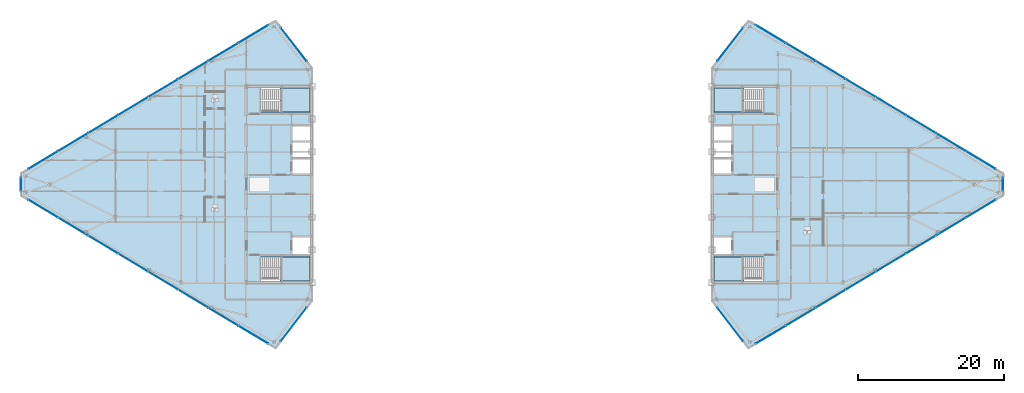
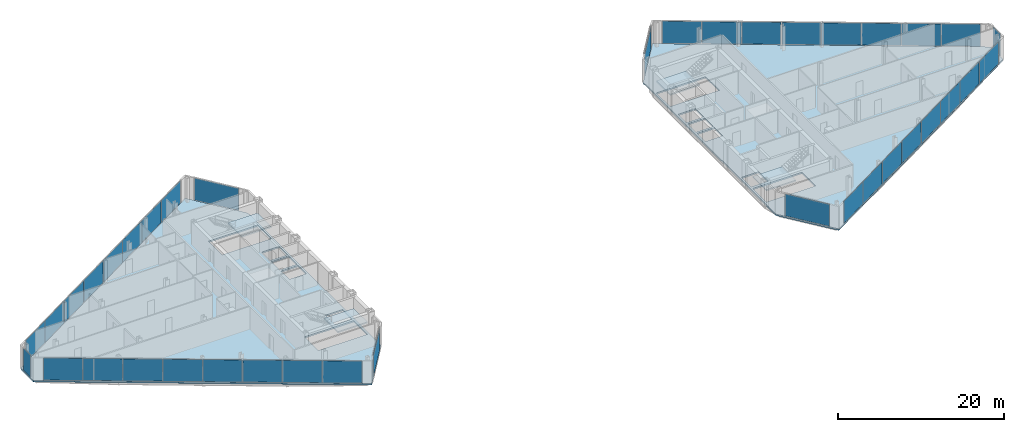
# One storey, part 18 of 25: 38 plates, 6 slabs, 14 elements without a shape of their own.
"""IFC4 building model written with IfcOpenShell, lengths in metres."""

from ifc_helpers import new_model, si_unit, direction, frame, origin, origin_2d, place, context, subcontext, project, spatial, polyline, rectangle, outline, extrude, source, transform, mapped, material, layer, layer_set, type_object, type_shapes, element, aggregate, save


model = new_model("IFC4")

# Units and contexts
model_context = context("Model", 3, precision=1e-05, world=origin(), true_north=direction((0.0, 1.0)))
body_context = subcontext(model_context, "Body", "Model", "MODEL_VIEW")
ifc_project = project(units=[si_unit("LENGTHUNIT", "METRE"), si_unit("AREAUNIT", "SQUARE_METRE"), si_unit("VOLUMEUNIT", "CUBIC_METRE"), si_unit("PLANEANGLEUNIT", "RADIAN"), si_unit("MASSUNIT", "GRAM", prefix="KILO")], contexts=[model_context])

# Site, building, storey
site_placement = place(None, origin())
site = spatial("IfcSite", under=ifc_project, at=site_placement, CompositionType="ELEMENT")
building_placement = place(site_placement, origin())
building = spatial("IfcBuilding", under=site, at=building_placement, Name="Seokmaru Belvedere", CompositionType="ELEMENT")
storey_placement = place(building_placement, frame((0.0, 0.0, 217.5)))
storey = spatial("IfcBuildingStorey", under=building, at=storey_placement, Name="L58", CompositionType="ELEMENT", Elevation=217.5)

# Stair, slab
ifc_material_1 = material(Name="Concrete C40 (40 MPa)", Category="concrete")
stair_type = type_object("IfcStairType", Name="Typical Tower Core Dog-Leg Stair 3600", PredefinedType="TWO_STRAIGHT_RUN_STAIR", material=ifc_material_1)
stair_1_placement = place(storey_placement, origin())
stair_1 = element("IfcStair", 1, at=stair_1_placement, inside=storey, type_object=stair_type, Name="L58 Special Escape Stair ST-W1", PredefinedType="TWO_STRAIGHT_RUN_STAIR")
ifc_layer_1 = layer(ifc_material_1, 0.199951171875)
ifc_layer_set_1 = layer_set([ifc_layer_1], Name="Concrete C40 (40 MPa)")
slab_type_1 = type_object("IfcSlabType", Name="Reinforced Concrete Stair Landing Slab 200", PredefinedType="LANDING", material=ifc_layer_set_1)
slab_1_placement = place(storey_placement, frame((0.0, 0.0, 1.60009765625)))
slab_1 = element("IfcSlab", 2, at=slab_1_placement, type_object=slab_type_1, Name="ST-W1 landing 1", PredefinedType="LANDING", context=body_context, shape_type="SweptSolid", body=[
    extrude(outline(polyline([(-31.8798828125, -13.239990234375), (-27.760009765625, -13.239990234375), (-27.760009765625, -9.949951171875), (-31.8798828125, -9.949951171875), (-31.8798828125, -13.239990234375)])), origin(), (0.0, 0.0, 1.0), 0.199951171875),
])
aggregate(stair_1, [slab_1])

stair_2_placement = place(storey_placement, origin())
stair_2 = element("IfcStair", 3, at=stair_2_placement, inside=storey, type_object=stair_type, Name="L58 Special Escape Stair ST-W2", PredefinedType="TWO_STRAIGHT_RUN_STAIR")
slab_2_placement = place(storey_placement, frame((0.0, 0.0, 1.60009765625)))
slab_2 = element("IfcSlab", 4, at=slab_2_placement, type_object=slab_type_1, Name="ST-W2 landing 1", PredefinedType="LANDING", context=body_context, shape_type="SweptSolid", body=[
    extrude(outline(polyline([(-31.8798828125, 9.949951171875), (-27.760009765625, 9.949951171875), (-27.760009765625, 13.239990234375), (-31.8798828125, 13.239990234375), (-31.8798828125, 9.949951171875)])), origin(), (0.0, 0.0, 1.0), 0.199951171875),
])
aggregate(stair_2, [slab_2])

stair_3_placement = place(storey_placement, origin())
stair_3 = element("IfcStair", 5, at=stair_3_placement, inside=storey, type_object=stair_type, Name="L58 Special Escape Stair ST-E1", PredefinedType="TWO_STRAIGHT_RUN_STAIR")
slab_3_placement = place(storey_placement, frame((0.0, 0.0, 1.60009765625)))
slab_3 = element("IfcSlab", 6, at=slab_3_placement, type_object=slab_type_1, Name="ST-E1 landing 1", PredefinedType="LANDING", context=body_context, shape_type="SweptSolid", body=[
    extrude(outline(polyline([(27.760009765625, -13.239990234375), (31.8798828125, -13.239990234375), (31.8798828125, -9.949951171875), (27.760009765625, -9.949951171875), (27.760009765625, -13.239990234375)])), origin(), (0.0, 0.0, 1.0), 0.199951171875),
])
aggregate(stair_3, [slab_3])

stair_4_placement = place(storey_placement, origin())
stair_4 = element("IfcStair", 7, at=stair_4_placement, inside=storey, type_object=stair_type, Name="L58 Special Escape Stair ST-E2", PredefinedType="TWO_STRAIGHT_RUN_STAIR")
slab_4_placement = place(storey_placement, frame((0.0, 0.0, 1.60009765625)))
slab_4 = element("IfcSlab", 8, at=slab_4_placement, type_object=slab_type_1, Name="ST-E2 landing 1", PredefinedType="LANDING", context=body_context, shape_type="SweptSolid", body=[
    extrude(outline(polyline([(27.760009765625, 9.949951171875), (31.8798828125, 9.949951171875), (31.8798828125, 13.239990234375), (27.760009765625, 13.239990234375), (27.760009765625, 9.949951171875)])), origin(), (0.0, 0.0, 1.0), 0.199951171875),
])
aggregate(stair_4, [slab_4])

# Slabs
ifc_layer_2 = layer(ifc_material_1, 0.219970703125)
ifc_layer_set_2 = layer_set([ifc_layer_2], Name="Concrete C40 (40 MPa)")
slab_type_2 = type_object("IfcSlabType", Name="Typical Tower Composite Floor Slab 220", PredefinedType="FLOOR", material=ifc_layer_set_2)
slab_5_placement = place(storey_placement, frame((0.0, 0.0, -0.219970703125)))
element("IfcSlab", 9, at=slab_5_placement, inside=storey, type_object=slab_type_2, Name="L58 West Leg Floor Slab", PredefinedType="FLOOR", context=body_context, shape_type="SweptSolid", body=[
    extrude(outline(polyline([(-27.5, -16.0), (-27.5, 16.0), (-32.5, 22.5), (-67.5, 1.5), (-67.5, -1.5), (-32.5, -22.5), (-27.5, -16.0)]), holes=[polyline([(-34.60009765625, -13.25), (-27.75, -13.25), (-27.75, -9.949951171875), (-34.60009765625, -9.949951171875), (-34.60009765625, -13.25)]), polyline([(-34.60009765625, 9.949951171875), (-27.75, 9.949951171875), (-27.75, 13.25), (-34.60009765625, 13.25), (-34.60009765625, 9.949951171875)]), polyline([(-30.14990234375, -9.550048828125), (-27.75, -9.550048828125), (-27.75, -7.25), (-30.14990234375, -7.25), (-30.14990234375, -9.550048828125)]), polyline([(-30.14990234375, 1.449951171875), (-27.75, 1.449951171875), (-27.75, 3.449951171875), (-30.14990234375, 3.449951171875), (-30.14990234375, 1.449951171875)]), polyline([(-30.14990234375, 3.75), (-27.75, 3.75), (-27.75, 5.75), (-30.14990234375, 5.75), (-30.14990234375, 3.75)]), polyline([(-30.14990234375, 6.050048828125), (-27.75, 6.050048828125), (-27.75, 8.050048828125), (-30.14990234375, 8.050048828125), (-30.14990234375, 6.050048828125)])]), origin(), (0.0, 0.0, 1.0), 0.219970703125),
])
slab_6_placement = place(storey_placement, frame((0.0, 0.0, -0.219970703125)))
element("IfcSlab", 10, at=slab_6_placement, inside=storey, type_object=slab_type_2, Name="L58 East Leg Floor Slab", PredefinedType="FLOOR", context=body_context, shape_type="SweptSolid", body=[
    extrude(outline(polyline([(32.5, -22.5), (67.5, -1.5), (67.5, 1.5), (32.5, 22.5), (27.5, 16.0), (27.5, -16.0), (32.5, -22.5)]), holes=[polyline([(27.75, -13.25), (34.60009765625, -13.25), (34.60009765625, -9.949951171875), (27.75, -9.949951171875), (27.75, -13.25)]), polyline([(27.75, 9.949951171875), (34.60009765625, 9.949951171875), (34.60009765625, 13.25), (27.75, 13.25), (27.75, 9.949951171875)]), polyline([(27.75, -9.550048828125), (30.14990234375, -9.550048828125), (30.14990234375, -7.25), (27.75, -7.25), (27.75, -9.550048828125)]), polyline([(27.75, 1.449951171875), (30.14990234375, 1.449951171875), (30.14990234375, 3.449951171875), (27.75, 3.449951171875), (27.75, 1.449951171875)]), polyline([(27.75, 3.75), (30.14990234375, 3.75), (30.14990234375, 5.75), (27.75, 5.75), (27.75, 3.75)]), polyline([(27.75, 6.050048828125), (30.14990234375, 6.050048828125), (30.14990234375, 8.050048828125), (27.75, 8.050048828125), (27.75, 6.050048828125)])]), origin(), (0.0, 0.0, 1.0), 0.219970703125),
])

# Curtain wall, plate
ifc_material_2 = material(Name="Bronze Triple Insulating Glass", Category="glass")
ifc_layer_3 = layer(ifc_material_2, 0.179931640625)
ifc_layer_set_3 = layer_set([ifc_layer_3], Name="Bronze Triple Insulating Glass")
curtain_wall_type = type_object("IfcCurtainWallType", Name="High-Rise Wind-Corner Curtain Wall System CW-5", PredefinedType="NOTDEFINED", material=ifc_layer_set_3)
curtain_wall_1_placement = place(storey_placement, origin())
curtain_wall_1 = element("IfcCurtainWall", 11, at=curtain_wall_1_placement, inside=storey, type_object=curtain_wall_type, Name="L58 Curtain Wall WF2", PredefinedType="NOTDEFINED")
ifc_layer_4 = layer(ifc_material_2, 0.035888671875)
ifc_layer_set_4 = layer_set([ifc_layer_4], Name="Bronze Triple Insulating Glass")
plate_type = type_object("IfcPlateType", Name="Bronze Triple Vision Glazing Panel 36", PredefinedType="CURTAIN_PANEL", material=ifc_layer_set_4)
shared_shape_1 = source(origin(), body_context, "Body", "SweptSolid", [
    extrude(rectangle(XDim=5.7705078125, YDim=0.035888671875, at=origin_2d()), origin(), (0.0, 0.0, 1.0), 3.25),
])
plate_1_placement = place(storey_placement, frame((-30.0, 19.25, 0.06494140625), z_axis=(0.0, 0.0, 1.0), x_axis=(-0.609701187349, 0.792631353244, 0.0)))
plate_1 = element("IfcPlate", 12, at=plate_1_placement, type_object=plate_type, Name="CW:L58:WF2 Glazing Panel 1-1", PredefinedType="CURTAIN_PANEL", context=body_context, shape_type="MappedRepresentation", body=[
    mapped(shared_shape_1, transform((0.0, 0.0, 0.0), scale=1.0)),
])
aggregate(curtain_wall_1, [plate_1])

curtain_wall_2_placement = place(storey_placement, origin())
curtain_wall_2 = element("IfcCurtainWall", 13, at=curtain_wall_2_placement, inside=storey, type_object=curtain_wall_type, Name="L58 Curtain Wall WF6", PredefinedType="NOTDEFINED")
plate_2_placement = place(storey_placement, frame((-30.0, -19.25, 0.06494140625), z_axis=(0.0, 0.0, 1.0), x_axis=(0.609701187349, 0.792631353244, 0.0)))
plate_2 = element("IfcPlate", 14, at=plate_2_placement, type_object=plate_type, Name="CW:L58:WF6 Glazing Panel 1-1", PredefinedType="CURTAIN_PANEL", context=body_context, shape_type="MappedRepresentation", body=[
    mapped(shared_shape_1, transform((0.0, 0.0, 0.0), scale=1.0)),
])
aggregate(curtain_wall_2, [plate_2])

curtain_wall_3_placement = place(storey_placement, origin())
curtain_wall_3 = element("IfcCurtainWall", 15, at=curtain_wall_3_placement, inside=storey, type_object=curtain_wall_type, Name="L58 Curtain Wall EF4", PredefinedType="NOTDEFINED")
plate_3_placement = place(storey_placement, frame((30.0, 19.25, 0.06494140625), z_axis=(0.0, 0.0, 1.0), x_axis=(-0.609701187349, -0.792631353244, 0.0)))
plate_3 = element("IfcPlate", 16, at=plate_3_placement, type_object=plate_type, Name="CW:L58:EF4 Glazing Panel 1-1", PredefinedType="CURTAIN_PANEL", context=body_context, shape_type="MappedRepresentation", body=[
    mapped(shared_shape_1, transform((0.0, 0.0, 0.0), scale=1.0)),
])
aggregate(curtain_wall_3, [plate_3])

curtain_wall_4_placement = place(storey_placement, origin())
curtain_wall_4 = element("IfcCurtainWall", 17, at=curtain_wall_4_placement, inside=storey, type_object=curtain_wall_type, Name="L58 Curtain Wall EF6", PredefinedType="NOTDEFINED")
plate_4_placement = place(storey_placement, frame((30.0, -19.25, 0.06494140625), z_axis=(0.0, 0.0, 1.0), x_axis=(0.609701187349, -0.792631353244, 0.0)))
plate_4 = element("IfcPlate", 18, at=plate_4_placement, type_object=plate_type, Name="CW:L58:EF6 Glazing Panel 1-1", PredefinedType="CURTAIN_PANEL", context=body_context, shape_type="MappedRepresentation", body=[
    mapped(shared_shape_1, transform((0.0, 0.0, 0.0), scale=1.0)),
])
aggregate(curtain_wall_4, [plate_4])

# Curtain wall, plates
curtain_wall_5_placement = place(storey_placement, origin())
curtain_wall_5 = element("IfcCurtainWall", 19, at=curtain_wall_5_placement, inside=storey, type_object=curtain_wall_type, Name="L58 Curtain Wall WF3", PredefinedType="NOTDEFINED")
shared_shape_2 = source(origin(), body_context, "Body", "SweptSolid", [
    extrude(rectangle(XDim=4.717041015625, YDim=0.035888671875, at=origin_2d()), origin(), (0.0, 0.0, 1.0), 3.25),
])
plate_5_placement = place(storey_placement, frame((-35.564208984375, 20.661376953125, 0.06494140625), z_axis=(0.0, 0.0, 1.0), x_axis=(-0.85749343335, -0.514494909364, 0.0)))
plate_5 = element("IfcPlate", 20, at=plate_5_placement, type_object=plate_type, Name="CW:L58:WF3 Glazing Panel 1-1", PredefinedType="CURTAIN_PANEL", context=body_context, shape_type="MappedRepresentation", body=[
    mapped(shared_shape_2, transform((0.0, 0.0, 0.0), scale=1.0)),
])
plate_6_placement = place(storey_placement, frame((-64.435791015625, 3.338623046875, 0.06494140625), z_axis=(0.0, 0.0, 1.0), x_axis=(-0.85749343335, -0.514494909364, 0.0)))
plate_6 = element("IfcPlate", 21, at=plate_6_placement, type_object=plate_type, Name="CW:L58:WF3 Glazing Panel 8-1", PredefinedType="CURTAIN_PANEL", context=body_context, shape_type="MappedRepresentation", body=[
    mapped(shared_shape_2, transform((0.0, 0.0, 0.0), scale=1.0)),
])

curtain_wall_6_placement = place(storey_placement, origin())
curtain_wall_6 = element("IfcCurtainWall", 22, at=curtain_wall_6_placement, inside=storey, type_object=curtain_wall_type, Name="L58 Curtain Wall WF5", PredefinedType="NOTDEFINED")
plate_7_placement = place(storey_placement, frame((-64.435791015625, -3.338623046875, 0.06494140625), z_axis=(0.0, 0.0, 1.0), x_axis=(0.85749343335, -0.514494909364, 0.0)))
plate_7 = element("IfcPlate", 23, at=plate_7_placement, type_object=plate_type, Name="CW:L58:WF5 Glazing Panel 1-1", PredefinedType="CURTAIN_PANEL", context=body_context, shape_type="MappedRepresentation", body=[
    mapped(shared_shape_2, transform((0.0, 0.0, 0.0), scale=1.0)),
])
plate_8_placement = place(storey_placement, frame((-35.564208984375, -20.661376953125, 0.06494140625), z_axis=(0.0, 0.0, 1.0), x_axis=(0.85749343335, -0.514494909364, 0.0)))
plate_8 = element("IfcPlate", 24, at=plate_8_placement, type_object=plate_type, Name="CW:L58:WF5 Glazing Panel 8-1", PredefinedType="CURTAIN_PANEL", context=body_context, shape_type="MappedRepresentation", body=[
    mapped(shared_shape_2, transform((0.0, 0.0, 0.0), scale=1.0)),
])

curtain_wall_7_placement = place(storey_placement, origin())
curtain_wall_7 = element("IfcCurtainWall", 25, at=curtain_wall_7_placement, inside=storey, type_object=curtain_wall_type, Name="L58 Curtain Wall EF1", PredefinedType="NOTDEFINED")
plate_9_placement = place(storey_placement, frame((35.564208984375, -20.661376953125, 0.06494140625), z_axis=(0.0, 0.0, 1.0), x_axis=(0.85749343335, 0.514494909364, 0.0)))
plate_9 = element("IfcPlate", 26, at=plate_9_placement, type_object=plate_type, Name="CW:L58:EF1 Glazing Panel 1-1", PredefinedType="CURTAIN_PANEL", context=body_context, shape_type="MappedRepresentation", body=[
    mapped(shared_shape_2, transform((0.0, 0.0, 0.0), scale=1.0)),
])
plate_10_placement = place(storey_placement, frame((64.435791015625, -3.338623046875, 0.06494140625), z_axis=(0.0, 0.0, 1.0), x_axis=(0.85749343335, 0.514494909364, 0.0)))
plate_10 = element("IfcPlate", 27, at=plate_10_placement, type_object=plate_type, Name="CW:L58:EF1 Glazing Panel 8-1", PredefinedType="CURTAIN_PANEL", context=body_context, shape_type="MappedRepresentation", body=[
    mapped(shared_shape_2, transform((0.0, 0.0, 0.0), scale=1.0)),
])

curtain_wall_8_placement = place(storey_placement, origin())
curtain_wall_8 = element("IfcCurtainWall", 28, at=curtain_wall_8_placement, inside=storey, type_object=curtain_wall_type, Name="L58 Curtain Wall EF3", PredefinedType="NOTDEFINED")
plate_11_placement = place(storey_placement, frame((64.435791015625, 3.338623046875, 0.06494140625), z_axis=(0.0, 0.0, 1.0), x_axis=(-0.85749343335, 0.514494909364, 0.0)))
plate_11 = element("IfcPlate", 29, at=plate_11_placement, type_object=plate_type, Name="CW:L58:EF3 Glazing Panel 1-1", PredefinedType="CURTAIN_PANEL", context=body_context, shape_type="MappedRepresentation", body=[
    mapped(shared_shape_2, transform((0.0, 0.0, 0.0), scale=1.0)),
])
plate_12_placement = place(storey_placement, frame((35.564208984375, 20.661376953125, 0.06494140625), z_axis=(0.0, 0.0, 1.0), x_axis=(-0.85749343335, 0.514494909364, 0.0)))
plate_12 = element("IfcPlate", 30, at=plate_12_placement, type_object=plate_type, Name="CW:L58:EF3 Glazing Panel 8-1", PredefinedType="CURTAIN_PANEL", context=body_context, shape_type="MappedRepresentation", body=[
    mapped(shared_shape_2, transform((0.0, 0.0, 0.0), scale=1.0)),
])

# Plate
shared_shape_3 = source(origin(), body_context, "Body", "SweptSolid", [
    extrude(rectangle(XDim=4.74951171875, YDim=0.035888671875, at=origin_2d()), origin(), (0.0, 0.0, 1.0), 3.25),
])
plate_13_placement = place(storey_placement, frame((-39.6787109375, 18.192626953125, 0.06494140625), z_axis=(0.0, 0.0, 1.0), x_axis=(-0.85749343335, -0.514494909364, 0.0)))
plate_13 = element("IfcPlate", 31, at=plate_13_placement, type_object=plate_type, Name="CW:L58:WF3 Glazing Panel 2-1", PredefinedType="CURTAIN_PANEL", context=body_context, shape_type="MappedRepresentation", body=[
    mapped(shared_shape_3, transform((0.0, 0.0, 0.0), scale=1.0)),
])

plate_14_placement = place(storey_placement, frame((-43.807373046875, 15.715576171875, 0.06494140625), z_axis=(0.0, 0.0, 1.0), x_axis=(-0.85749343335, -0.514494909364, 0.0)))
plate_14 = element("IfcPlate", 32, at=plate_14_placement, type_object=plate_type, Name="CW:L58:WF3 Glazing Panel 3-1", PredefinedType="CURTAIN_PANEL", context=body_context, shape_type="MappedRepresentation", body=[
    mapped(shared_shape_3, transform((0.0, 0.0, 0.0), scale=1.0)),
])

plate_15_placement = place(storey_placement, frame((-47.935791015625, 13.238525390625, 0.06494140625), z_axis=(0.0, 0.0, 1.0), x_axis=(-0.85749343335, -0.514494909364, 0.0)))
plate_15 = element("IfcPlate", 33, at=plate_15_placement, type_object=plate_type, Name="CW:L58:WF3 Glazing Panel 4-1", PredefinedType="CURTAIN_PANEL", context=body_context, shape_type="MappedRepresentation", body=[
    mapped(shared_shape_3, transform((0.0, 0.0, 0.0), scale=1.0)),
])

plate_16_placement = place(storey_placement, frame((-52.064208984375, 10.761474609375, 0.06494140625), z_axis=(0.0, 0.0, 1.0), x_axis=(-0.85749343335, -0.514494909364, 0.0)))
plate_16 = element("IfcPlate", 34, at=plate_16_placement, type_object=plate_type, Name="CW:L58:WF3 Glazing Panel 5-1", PredefinedType="CURTAIN_PANEL", context=body_context, shape_type="MappedRepresentation", body=[
    mapped(shared_shape_3, transform((0.0, 0.0, 0.0), scale=1.0)),
])

plate_17_placement = place(storey_placement, frame((-56.192626953125, 8.284423828125, 0.06494140625), z_axis=(0.0, 0.0, 1.0), x_axis=(-0.85749343335, -0.514494909364, 0.0)))
plate_17 = element("IfcPlate", 35, at=plate_17_placement, type_object=plate_type, Name="CW:L58:WF3 Glazing Panel 6-1", PredefinedType="CURTAIN_PANEL", context=body_context, shape_type="MappedRepresentation", body=[
    mapped(shared_shape_3, transform((0.0, 0.0, 0.0), scale=1.0)),
])

plate_18_placement = place(storey_placement, frame((-60.3212890625, 5.807373046875, 0.06494140625), z_axis=(0.0, 0.0, 1.0), x_axis=(-0.85749343335, -0.514494909364, 0.0)))
plate_18 = element("IfcPlate", 36, at=plate_18_placement, type_object=plate_type, Name="CW:L58:WF3 Glazing Panel 7-1", PredefinedType="CURTAIN_PANEL", context=body_context, shape_type="MappedRepresentation", body=[
    mapped(shared_shape_3, transform((0.0, 0.0, 0.0), scale=1.0)),
])

aggregate(curtain_wall_5, [plate_5, plate_13, plate_14, plate_15, plate_16, plate_17, plate_18, plate_6])

plate_19_placement = place(storey_placement, frame((-60.3212890625, -5.807373046875, 0.06494140625), z_axis=(0.0, 0.0, 1.0), x_axis=(0.85749343335, -0.514494909364, 0.0)))
plate_19 = element("IfcPlate", 37, at=plate_19_placement, type_object=plate_type, Name="CW:L58:WF5 Glazing Panel 2-1", PredefinedType="CURTAIN_PANEL", context=body_context, shape_type="MappedRepresentation", body=[
    mapped(shared_shape_3, transform((0.0, 0.0, 0.0), scale=1.0)),
])

plate_20_placement = place(storey_placement, frame((-56.192626953125, -8.284423828125, 0.06494140625), z_axis=(0.0, 0.0, 1.0), x_axis=(0.85749343335, -0.514494909364, 0.0)))
plate_20 = element("IfcPlate", 38, at=plate_20_placement, type_object=plate_type, Name="CW:L58:WF5 Glazing Panel 3-1", PredefinedType="CURTAIN_PANEL", context=body_context, shape_type="MappedRepresentation", body=[
    mapped(shared_shape_3, transform((0.0, 0.0, 0.0), scale=1.0)),
])

plate_21_placement = place(storey_placement, frame((-52.064208984375, -10.761474609375, 0.06494140625), z_axis=(0.0, 0.0, 1.0), x_axis=(0.85749343335, -0.514494909364, 0.0)))
plate_21 = element("IfcPlate", 39, at=plate_21_placement, type_object=plate_type, Name="CW:L58:WF5 Glazing Panel 4-1", PredefinedType="CURTAIN_PANEL", context=body_context, shape_type="MappedRepresentation", body=[
    mapped(shared_shape_3, transform((0.0, 0.0, 0.0), scale=1.0)),
])

plate_22_placement = place(storey_placement, frame((-47.935791015625, -13.238525390625, 0.06494140625), z_axis=(0.0, 0.0, 1.0), x_axis=(0.85749343335, -0.514494909364, 0.0)))
plate_22 = element("IfcPlate", 40, at=plate_22_placement, type_object=plate_type, Name="CW:L58:WF5 Glazing Panel 5-1", PredefinedType="CURTAIN_PANEL", context=body_context, shape_type="MappedRepresentation", body=[
    mapped(shared_shape_3, transform((0.0, 0.0, 0.0), scale=1.0)),
])

plate_23_placement = place(storey_placement, frame((-43.807373046875, -15.715576171875, 0.06494140625), z_axis=(0.0, 0.0, 1.0), x_axis=(0.85749343335, -0.514494909364, 0.0)))
plate_23 = element("IfcPlate", 41, at=plate_23_placement, type_object=plate_type, Name="CW:L58:WF5 Glazing Panel 6-1", PredefinedType="CURTAIN_PANEL", context=body_context, shape_type="MappedRepresentation", body=[
    mapped(shared_shape_3, transform((0.0, 0.0, 0.0), scale=1.0)),
])

plate_24_placement = place(storey_placement, frame((-39.6787109375, -18.192626953125, 0.06494140625), z_axis=(0.0, 0.0, 1.0), x_axis=(0.85749343335, -0.514494909364, 0.0)))
plate_24 = element("IfcPlate", 42, at=plate_24_placement, type_object=plate_type, Name="CW:L58:WF5 Glazing Panel 7-1", PredefinedType="CURTAIN_PANEL", context=body_context, shape_type="MappedRepresentation", body=[
    mapped(shared_shape_3, transform((0.0, 0.0, 0.0), scale=1.0)),
])

aggregate(curtain_wall_6, [plate_7, plate_19, plate_20, plate_21, plate_22, plate_23, plate_24, plate_8])

plate_25_placement = place(storey_placement, frame((39.6787109375, -18.192626953125, 0.06494140625), z_axis=(0.0, 0.0, 1.0), x_axis=(0.85749343335, 0.514494909364, 0.0)))
plate_25 = element("IfcPlate", 43, at=plate_25_placement, type_object=plate_type, Name="CW:L58:EF1 Glazing Panel 2-1", PredefinedType="CURTAIN_PANEL", context=body_context, shape_type="MappedRepresentation", body=[
    mapped(shared_shape_3, transform((0.0, 0.0, 0.0), scale=1.0)),
])

plate_26_placement = place(storey_placement, frame((43.807373046875, -15.715576171875, 0.06494140625), z_axis=(0.0, 0.0, 1.0), x_axis=(0.85749343335, 0.514494909364, 0.0)))
plate_26 = element("IfcPlate", 44, at=plate_26_placement, type_object=plate_type, Name="CW:L58:EF1 Glazing Panel 3-1", PredefinedType="CURTAIN_PANEL", context=body_context, shape_type="MappedRepresentation", body=[
    mapped(shared_shape_3, transform((0.0, 0.0, 0.0), scale=1.0)),
])

plate_27_placement = place(storey_placement, frame((47.935791015625, -13.238525390625, 0.06494140625), z_axis=(0.0, 0.0, 1.0), x_axis=(0.85749343335, 0.514494909364, 0.0)))
plate_27 = element("IfcPlate", 45, at=plate_27_placement, type_object=plate_type, Name="CW:L58:EF1 Glazing Panel 4-1", PredefinedType="CURTAIN_PANEL", context=body_context, shape_type="MappedRepresentation", body=[
    mapped(shared_shape_3, transform((0.0, 0.0, 0.0), scale=1.0)),
])

plate_28_placement = place(storey_placement, frame((52.064208984375, -10.761474609375, 0.06494140625), z_axis=(0.0, 0.0, 1.0), x_axis=(0.85749343335, 0.514494909364, 0.0)))
plate_28 = element("IfcPlate", 46, at=plate_28_placement, type_object=plate_type, Name="CW:L58:EF1 Glazing Panel 5-1", PredefinedType="CURTAIN_PANEL", context=body_context, shape_type="MappedRepresentation", body=[
    mapped(shared_shape_3, transform((0.0, 0.0, 0.0), scale=1.0)),
])

plate_29_placement = place(storey_placement, frame((56.192626953125, -8.284423828125, 0.06494140625), z_axis=(0.0, 0.0, 1.0), x_axis=(0.85749343335, 0.514494909364, 0.0)))
plate_29 = element("IfcPlate", 47, at=plate_29_placement, type_object=plate_type, Name="CW:L58:EF1 Glazing Panel 6-1", PredefinedType="CURTAIN_PANEL", context=body_context, shape_type="MappedRepresentation", body=[
    mapped(shared_shape_3, transform((0.0, 0.0, 0.0), scale=1.0)),
])

plate_30_placement = place(storey_placement, frame((60.3212890625, -5.807373046875, 0.06494140625), z_axis=(0.0, 0.0, 1.0), x_axis=(0.85749343335, 0.514494909364, 0.0)))
plate_30 = element("IfcPlate", 48, at=plate_30_placement, type_object=plate_type, Name="CW:L58:EF1 Glazing Panel 7-1", PredefinedType="CURTAIN_PANEL", context=body_context, shape_type="MappedRepresentation", body=[
    mapped(shared_shape_3, transform((0.0, 0.0, 0.0), scale=1.0)),
])

aggregate(curtain_wall_7, [plate_9, plate_25, plate_26, plate_27, plate_28, plate_29, plate_30, plate_10])

plate_31_placement = place(storey_placement, frame((60.3212890625, 5.807373046875, 0.06494140625), z_axis=(0.0, 0.0, 1.0), x_axis=(-0.85749343335, 0.514494909364, 0.0)))
plate_31 = element("IfcPlate", 49, at=plate_31_placement, type_object=plate_type, Name="CW:L58:EF3 Glazing Panel 2-1", PredefinedType="CURTAIN_PANEL", context=body_context, shape_type="MappedRepresentation", body=[
    mapped(shared_shape_3, transform((0.0, 0.0, 0.0), scale=1.0)),
])

plate_32_placement = place(storey_placement, frame((56.192626953125, 8.284423828125, 0.06494140625), z_axis=(0.0, 0.0, 1.0), x_axis=(-0.85749343335, 0.514494909364, 0.0)))
plate_32 = element("IfcPlate", 50, at=plate_32_placement, type_object=plate_type, Name="CW:L58:EF3 Glazing Panel 3-1", PredefinedType="CURTAIN_PANEL", context=body_context, shape_type="MappedRepresentation", body=[
    mapped(shared_shape_3, transform((0.0, 0.0, 0.0), scale=1.0)),
])

plate_33_placement = place(storey_placement, frame((52.064208984375, 10.761474609375, 0.06494140625), z_axis=(0.0, 0.0, 1.0), x_axis=(-0.85749343335, 0.514494909364, 0.0)))
plate_33 = element("IfcPlate", 51, at=plate_33_placement, type_object=plate_type, Name="CW:L58:EF3 Glazing Panel 4-1", PredefinedType="CURTAIN_PANEL", context=body_context, shape_type="MappedRepresentation", body=[
    mapped(shared_shape_3, transform((0.0, 0.0, 0.0), scale=1.0)),
])

plate_34_placement = place(storey_placement, frame((47.935791015625, 13.238525390625, 0.06494140625), z_axis=(0.0, 0.0, 1.0), x_axis=(-0.85749343335, 0.514494909364, 0.0)))
plate_34 = element("IfcPlate", 52, at=plate_34_placement, type_object=plate_type, Name="CW:L58:EF3 Glazing Panel 5-1", PredefinedType="CURTAIN_PANEL", context=body_context, shape_type="MappedRepresentation", body=[
    mapped(shared_shape_3, transform((0.0, 0.0, 0.0), scale=1.0)),
])

plate_35_placement = place(storey_placement, frame((43.807373046875, 15.715576171875, 0.06494140625), z_axis=(0.0, 0.0, 1.0), x_axis=(-0.85749343335, 0.514494909364, 0.0)))
plate_35 = element("IfcPlate", 53, at=plate_35_placement, type_object=plate_type, Name="CW:L58:EF3 Glazing Panel 6-1", PredefinedType="CURTAIN_PANEL", context=body_context, shape_type="MappedRepresentation", body=[
    mapped(shared_shape_3, transform((0.0, 0.0, 0.0), scale=1.0)),
])

plate_36_placement = place(storey_placement, frame((39.6787109375, 18.192626953125, 0.06494140625), z_axis=(0.0, 0.0, 1.0), x_axis=(-0.85749343335, 0.514494909364, 0.0)))
plate_36 = element("IfcPlate", 54, at=plate_36_placement, type_object=plate_type, Name="CW:L58:EF3 Glazing Panel 7-1", PredefinedType="CURTAIN_PANEL", context=body_context, shape_type="MappedRepresentation", body=[
    mapped(shared_shape_3, transform((0.0, 0.0, 0.0), scale=1.0)),
])

aggregate(curtain_wall_8, [plate_11, plate_31, plate_32, plate_33, plate_34, plate_35, plate_36, plate_12])

# Curtain wall, plate
curtain_wall_9_placement = place(storey_placement, origin())
curtain_wall_9 = element("IfcCurtainWall", 55, at=curtain_wall_9_placement, inside=storey, type_object=curtain_wall_type, Name="L58 Curtain Wall WF4", PredefinedType="NOTDEFINED")
shared_shape_4 = source(origin(), body_context, "Body", "SweptSolid", [
    extrude(rectangle(XDim=1.77001953125, YDim=0.035888671875, at=origin_2d()), origin(), (0.0, 0.0, 1.0), 3.25),
])
type_shapes(plate_type, [shared_shape_1, shared_shape_2, shared_shape_3, shared_shape_4])
plate_37_placement = place(storey_placement, frame((-67.5, 0.0, 0.06494140625), z_axis=(0.0, 0.0, 1.0), x_axis=(0.0, -1.0, 0.0)))
plate_37 = element("IfcPlate", 56, at=plate_37_placement, type_object=plate_type, Name="CW:L58:WF4 Glazing Panel 1-1", PredefinedType="CURTAIN_PANEL", context=body_context, shape_type="MappedRepresentation", body=[
    mapped(shared_shape_4, transform((0.0, 0.0, 0.0), scale=1.0)),
])
aggregate(curtain_wall_9, [plate_37])

curtain_wall_10_placement = place(storey_placement, origin())
curtain_wall_10 = element("IfcCurtainWall", 57, at=curtain_wall_10_placement, inside=storey, type_object=curtain_wall_type, Name="L58 Curtain Wall EF2", PredefinedType="NOTDEFINED")
plate_38_placement = place(storey_placement, frame((67.5, 0.0, 0.06494140625), z_axis=(0.0, 0.0, 1.0), x_axis=(0.0, 1.0, 0.0)))
plate_38 = element("IfcPlate", 58, at=plate_38_placement, type_object=plate_type, Name="CW:L58:EF2 Glazing Panel 1-1", PredefinedType="CURTAIN_PANEL", context=body_context, shape_type="MappedRepresentation", body=[
    mapped(shared_shape_4, transform((0.0, 0.0, 0.0), scale=1.0)),
])
aggregate(curtain_wall_10, [plate_38])

save(model, "model.ifc")
